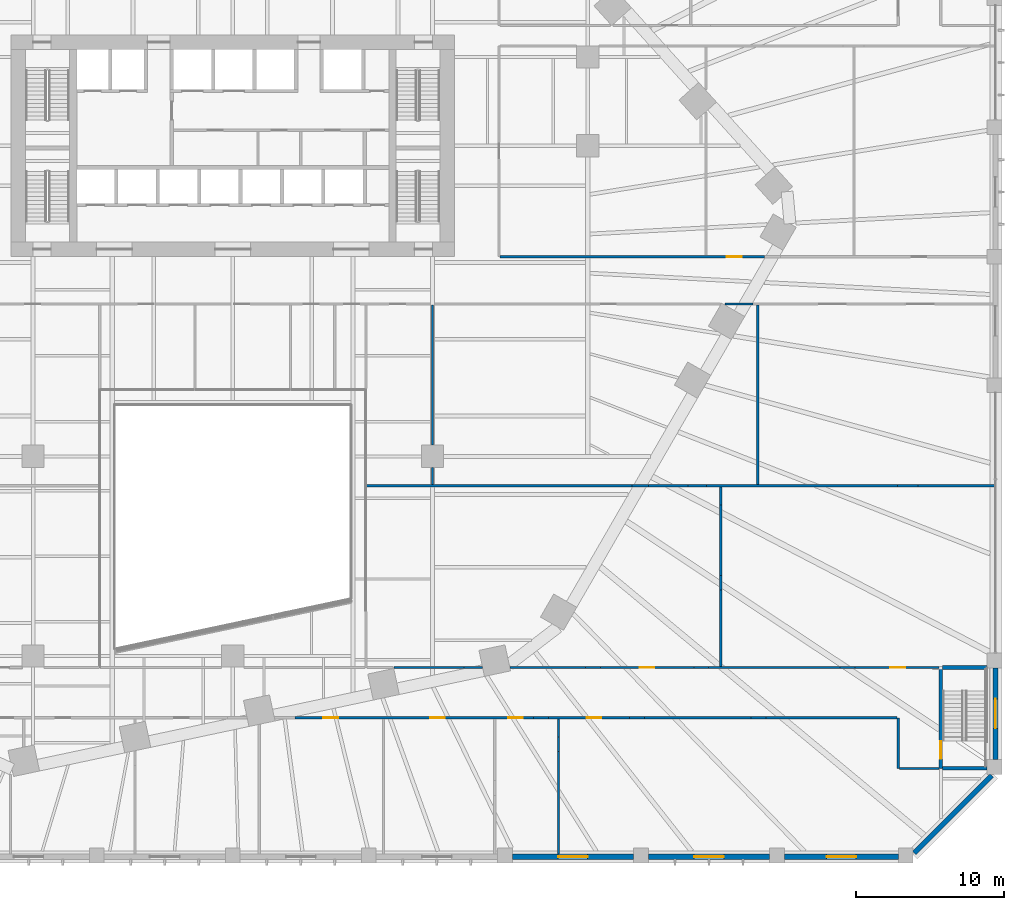
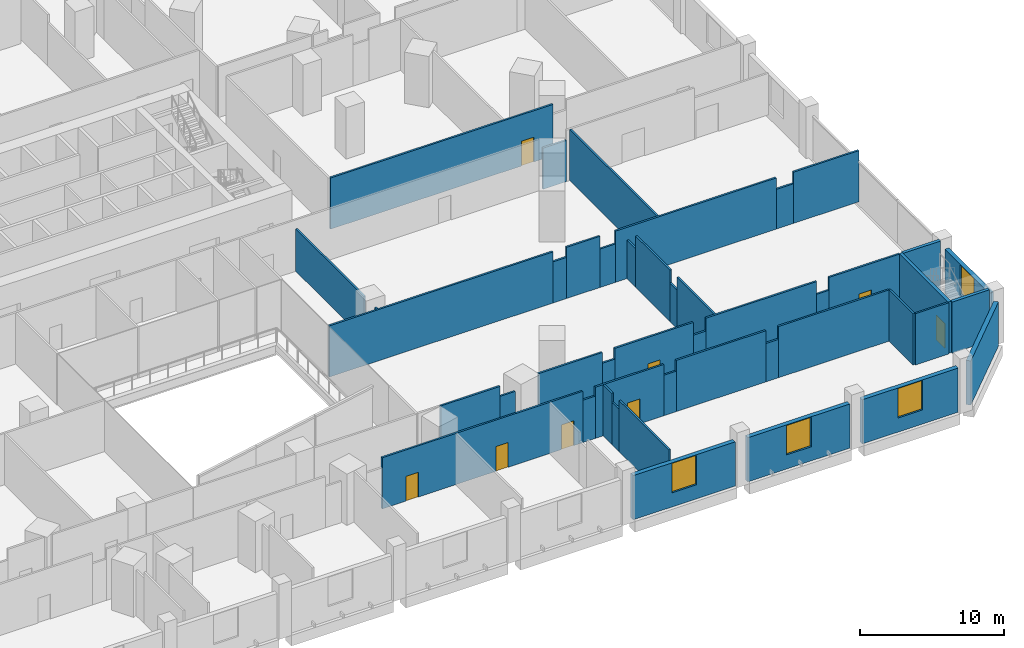
# One storey, part 19 of 33: 45 walls, 8 doors, 4 windows, 12 openings.
"""IFC4 building model written with IfcOpenShell, lengths in metres."""

from ifc_helpers import new_model, si_unit, direction, frame, frame_2d, origin, place, context, subcontext, project, spatial, rectangle, extrude, material, layer, layer_set, type_object, element, fill, save


model = new_model("IFC4")

# Units and contexts
model_context = context("Model", 3, precision=1e-05, world=origin(), true_north=direction((0.0, 1.0)))
body_context = subcontext(model_context, "Body", "Model", "MODEL_VIEW")
ifc_project = project(units=[si_unit("LENGTHUNIT", "METRE"), si_unit("AREAUNIT", "SQUARE_METRE"), si_unit("VOLUMEUNIT", "CUBIC_METRE"), si_unit("PLANEANGLEUNIT", "RADIAN"), si_unit("MASSUNIT", "GRAM", prefix="KILO")], contexts=[model_context])

# Site, building, storey
site_placement = place(None, origin())
site = spatial("IfcSite", under=ifc_project, at=site_placement, CompositionType="ELEMENT")
building_placement = place(site_placement, origin())
building = spatial("IfcBuilding", under=site, at=building_placement, Name="Isthmus Gate Tower", CompositionType="ELEMENT")
storey_placement = place(building_placement, frame((0.0, 0.0, 31.5)))
storey = spatial("IfcBuildingStorey", under=building, at=storey_placement, Name="L05", CompositionType="ELEMENT", Elevation=31.5)

# Walls
ifc_material_1 = material(Name="Fire-rated gypsum board on steel studs", Category="steel")
ifc_layer_1 = layer(ifc_material_1, 0.14990234375)
ifc_layer_set_1 = layer_set([ifc_layer_1], Name="Fire-rated partition 150 EI 60")
wall_type_1 = type_object("IfcWallType", Name="Fire-rated partition 150 EI 60", PredefinedType="PARTITIONING", material=ifc_layer_set_1)
wall_1_placement = place(storey_placement, frame((45.074951171875, -34.60009765625, 0.0), z_axis=(0.0, 0.0, 1.0), x_axis=(1.0, 0.0, 0.0)))
element("IfcWall", 1, at=wall_1_placement, inside=storey, type_object=wall_type_1, Name="Fire-rated partition", PredefinedType="PARTITIONING", context=body_context, shape_type="SweptSolid", body=[
    extrude(rectangle(XDim=2.675048828125, YDim=0.14990234375, at=frame_2d((1.33740234375, 0.0))), origin(), (0.0, 0.0, 1.0), 4.35009765625),
])
wall_2_placement = place(storey_placement, frame((45.0, -34.60009765625, 0.0), z_axis=(0.0, 0.0, 1.0), x_axis=(0.0, 1.0, 0.0)))
element("IfcWall", 2, at=wall_2_placement, inside=storey, type_object=wall_type_1, Name="Fire-rated partition", PredefinedType="PARTITIONING", context=body_context, shape_type="SweptSolid", body=[
    extrude(rectangle(XDim=3.421142578125, YDim=0.14990234375, at=frame_2d((1.71044921875, 0.0))), origin(), (0.0, 0.0, 1.0), 4.35009765625),
])

# Wall, opening, window
ifc_material_2 = material(Name="Precast concrete C40/50, limestone-faced", Category="masonry")
ifc_layer_2 = layer(ifc_material_2, 0.35009765625)
ifc_layer_set_2 = layer_set([ifc_layer_2], Name="PODIUM CLADDING WALL 350")
wall_type_2 = type_object("IfcWallType", Name="PODIUM CLADDING WALL 350", PredefinedType="SOLIDWALL", material=ifc_layer_set_2)
wall_3_placement = place(storey_placement, frame((18.89990234375, -40.574951171875, -0.300048828125), z_axis=(0.0, 0.0, 1.0), x_axis=(1.0, 0.0, 0.0)))
wall_3 = element("IfcWall", 3, at=wall_3_placement, inside=storey, type_object=wall_type_2, Name="PODIUM WALL", PredefinedType="SOLIDWALL", context=body_context, shape_type="SweptSolid", body=[
    extrude(rectangle(XDim=8.2001953125, YDim=0.35009765625, at=frame_2d((4.10009765625, 0.0))), origin(), (0.0, 0.0, 1.0), 3.75),
])
opening_1_placement = place(wall_3_placement, frame((3.10009765625, 0.0, 1.199951171875)))
opening_1 = element("IfcOpeningElement", 4, at=opening_1_placement, cuts=wall_3, Name="Opening W098", PredefinedType="OPENING", context=body_context, shape_type="SweptSolid", body=[
    extrude(rectangle(XDim=2.0, YDim=2.5, at=frame_2d((1.0, 1.25))), frame((0.0, 0.18505859375, 0.0), z_axis=(0.0, -1.0, 0.0), x_axis=(1.0, 0.0, 0.0)), (0.0, 0.0, 1.0), 0.3701171875),
])
ifc_material_3 = material(Name="Aluminium, pale champagne anodised, laminated glass", Category="aluminium")
window_type = type_object("IfcWindowType", Name="PODIUM SLOT WINDOW 2000 X 2500", PartitioningType="SINGLE_PANEL", PredefinedType="WINDOW", material=ifc_material_3)
window_1_placement = place(opening_1_placement, origin())
window_1 = element("IfcWindow", 5, at=window_1_placement, inside=storey, type_object=window_type, Name="SLOT WINDOW", OverallHeight=2.5, OverallWidth=2.0, PartitioningType="SINGLE_PANEL", PredefinedType="WINDOW", context=body_context, shape_type="SweptSolid", body=[
    extrude(rectangle(XDim=2.0, YDim=2.5, at=frame_2d((1.0, 1.25))), frame((0.0, 0.030029296875, 0.0), z_axis=(0.0, -1.0, 0.0), x_axis=(1.0, 0.0, 0.0)), (0.0, 0.0, 1.0), 0.06005859375),
])
fill(opening_1, window_1)

wall_4_placement = place(storey_placement, frame((28.10009765625, -40.574951171875, -0.300048828125), z_axis=(0.0, 0.0, 1.0), x_axis=(1.0, 0.0, 0.0)))
wall_4 = element("IfcWall", 6, at=wall_4_placement, inside=storey, type_object=wall_type_2, Name="PODIUM WALL", PredefinedType="SOLIDWALL", context=body_context, shape_type="SweptSolid", body=[
    extrude(rectangle(XDim=8.199951171875, YDim=0.35009765625, at=frame_2d((4.10009765625, 0.0))), origin(), (0.0, 0.0, 1.0), 3.75),
])
opening_2_placement = place(wall_4_placement, frame((3.10009765625, 0.0, 1.199951171875)))
opening_2 = element("IfcOpeningElement", 7, at=opening_2_placement, cuts=wall_4, Name="Opening W099", PredefinedType="OPENING", context=body_context, shape_type="SweptSolid", body=[
    extrude(rectangle(XDim=2.0, YDim=2.5, at=frame_2d((1.0, 1.25))), frame((0.0, 0.18505859375, 0.0), z_axis=(0.0, -1.0, 0.0), x_axis=(1.0, 0.0, 0.0)), (0.0, 0.0, 1.0), 0.3701171875),
])
window_2_placement = place(opening_2_placement, origin())
window_2 = element("IfcWindow", 8, at=window_2_placement, inside=storey, type_object=window_type, Name="SLOT WINDOW", OverallHeight=2.5, OverallWidth=2.0, PartitioningType="SINGLE_PANEL", PredefinedType="WINDOW", context=body_context, shape_type="SweptSolid", body=[
    extrude(rectangle(XDim=2.0, YDim=2.5, at=frame_2d((1.0, 1.25))), frame((0.0, 0.030029296875, 0.0), z_axis=(0.0, -1.0, 0.0), x_axis=(1.0, 0.0, 0.0)), (0.0, 0.0, 1.0), 0.06005859375),
])
fill(opening_2, window_2)

wall_5_placement = place(storey_placement, frame((37.300048828125, -40.574951171875, -0.300048828125), z_axis=(0.0, 0.0, 1.0), x_axis=(1.0, 0.0, 0.0)))
wall_5 = element("IfcWall", 9, at=wall_5_placement, inside=storey, type_object=wall_type_2, Name="PODIUM WALL", PredefinedType="SOLIDWALL", context=body_context, shape_type="SweptSolid", body=[
    extrude(rectangle(XDim=7.699951171875, YDim=0.35009765625, at=frame_2d((3.85009765625, 0.0))), origin(), (0.0, 0.0, 1.0), 3.75),
])
opening_3_placement = place(wall_5_placement, frame((2.85009765625, 0.0, 1.199951171875)))
opening_3 = element("IfcOpeningElement", 10, at=opening_3_placement, cuts=wall_5, Name="Opening W100", PredefinedType="OPENING", context=body_context, shape_type="SweptSolid", body=[
    extrude(rectangle(XDim=2.0, YDim=2.5, at=frame_2d((1.0, 1.25))), frame((0.0, 0.18505859375, 0.0), z_axis=(0.0, -1.0, 0.0), x_axis=(1.0, 0.0, 0.0)), (0.0, 0.0, 1.0), 0.3701171875),
])
window_3_placement = place(opening_3_placement, origin())
window_3 = element("IfcWindow", 11, at=window_3_placement, inside=storey, type_object=window_type, Name="SLOT WINDOW", OverallHeight=2.5, OverallWidth=2.0, PartitioningType="SINGLE_PANEL", PredefinedType="WINDOW", context=body_context, shape_type="SweptSolid", body=[
    extrude(rectangle(XDim=2.0, YDim=2.5, at=frame_2d((1.0, 1.25))), frame((0.0, 0.030029296875, 0.0), z_axis=(0.0, -1.0, 0.0), x_axis=(1.0, 0.0, 0.0)), (0.0, 0.0, 1.0), 0.06005859375),
])
fill(opening_3, window_3)

# Wall
wall_6_placement = place(storey_placement, frame((46.071533203125, -40.327392578125, -0.300048828125), z_axis=(0.0, 0.0, 1.0), x_axis=(0.707106781187, 0.707106781187, 0.0)))
element("IfcWall", 12, at=wall_6_placement, inside=storey, type_object=wall_type_2, Name="PODIUM WALL", PredefinedType="SOLIDWALL", context=body_context, shape_type="SweptSolid", body=[
    extrude(rectangle(XDim=7.432861328125, YDim=0.35009765625, at=frame_2d((3.71630859375, 0.0))), origin(), (0.0, 0.0, 1.0), 3.75),
])

# Wall, opening, window
wall_7_placement = place(storey_placement, frame((51.574951171875, -34.0, -0.300048828125), z_axis=(0.0, 0.0, 1.0), x_axis=(0.0, 1.0, 0.0)))
wall_7 = element("IfcWall", 13, at=wall_7_placement, inside=storey, type_object=wall_type_2, Name="PODIUM WALL", PredefinedType="SOLIDWALL", context=body_context, shape_type="SweptSolid", body=[
    extrude(rectangle(XDim=6.199951171875, YDim=0.35009765625, at=frame_2d((3.10009765625, 0.0))), origin(), (0.0, 0.0, 1.0), 3.75),
])
opening_4_placement = place(wall_7_placement, frame((2.10009765625, 0.0, 1.199951171875)))
opening_4 = element("IfcOpeningElement", 14, at=opening_4_placement, cuts=wall_7, Name="Opening W101", PredefinedType="OPENING", context=body_context, shape_type="SweptSolid", body=[
    extrude(rectangle(XDim=2.0, YDim=2.5, at=frame_2d((1.0, 1.25))), frame((0.0, 0.18505859375, 0.0), z_axis=(0.0, -1.0, 0.0), x_axis=(1.0, 0.0, 0.0)), (0.0, 0.0, 1.0), 0.3701171875),
])
window_4_placement = place(opening_4_placement, origin())
window_4 = element("IfcWindow", 15, at=window_4_placement, inside=storey, type_object=window_type, Name="SLOT WINDOW", OverallHeight=2.5, OverallWidth=2.0, PartitioningType="SINGLE_PANEL", PredefinedType="WINDOW", context=body_context, shape_type="SweptSolid", body=[
    extrude(rectangle(XDim=2.0, YDim=2.5, at=frame_2d((1.0, 1.25))), frame((0.0, 0.030029296875, 0.0), z_axis=(0.0, -1.0, 0.0), x_axis=(1.0, 0.0, 0.0)), (0.0, 0.0, 1.0), 0.06005859375),
])
fill(opening_4, window_4)

# Wall, openings, doors
ifc_material_4 = material(Name="Gypsum board on cold-formed steel studs", Category="steel")
ifc_layer_3 = layer(ifc_material_4, 0.14990234375)
ifc_layer_set_3 = layer_set([ifc_layer_3])
wall_type_3 = type_object("IfcWallType", Name="Partition 150 gypsum board on steel studs", PredefinedType="PARTITIONING", material=ifc_layer_set_3)
wall_8_placement = place(storey_placement, frame((4.22314453125, -31.178955078125, 0.0), z_axis=(0.0, 0.0, 1.0), x_axis=(1.0, 0.0, 0.0)))
wall_8 = element("IfcWall", 16, at=wall_8_placement, inside=storey, type_object=wall_type_3, Name="Partition", PredefinedType="PARTITIONING", context=body_context, shape_type="SweptSolid", body=[
    extrude(rectangle(XDim=16.10986328125, YDim=0.14990234375, at=frame_2d((8.054931640625, 0.0))), origin(), (0.0, 0.0, 1.0), 4.35009765625),
])
opening_5_placement = place(wall_8_placement, frame((1.89990234375, 0.0, 0.0)))
opening_5 = element("IfcOpeningElement", 17, at=opening_5_placement, cuts=wall_8, Name="Opening DP05-47", PredefinedType="OPENING", context=body_context, shape_type="SweptSolid", body=[
    extrude(rectangle(XDim=1.0, YDim=2.10009765625, at=frame_2d((0.5, 1.050048828125))), frame((0.0, 0.0849609375, 0.0), z_axis=(0.0, -1.0, 0.0), x_axis=(1.0, 0.0, 0.0)), (0.0, 0.0, 1.0), 0.169921875),
])
opening_6_placement = place(wall_8_placement, frame((9.118896484375, 0.0, 0.0)))
opening_6 = element("IfcOpeningElement", 18, at=opening_6_placement, cuts=wall_8, Name="Opening DP05-48", PredefinedType="OPENING", context=body_context, shape_type="SweptSolid", body=[
    extrude(rectangle(XDim=1.0, YDim=2.10009765625, at=frame_2d((0.5, 1.050048828125))), frame((0.0, 0.0849609375, 0.0), z_axis=(0.0, -1.0, 0.0), x_axis=(1.0, 0.0, 0.0)), (0.0, 0.0, 1.0), 0.169921875),
])
opening_7_placement = place(wall_8_placement, frame((14.390869140625, 0.0, 0.0)))
opening_7 = element("IfcOpeningElement", 19, at=opening_7_placement, cuts=wall_8, Name="Opening DP05-49", PredefinedType="OPENING", context=body_context, shape_type="SweptSolid", body=[
    extrude(rectangle(XDim=1.0, YDim=2.10009765625, at=frame_2d((0.5, 1.050048828125))), frame((0.0, 0.0849609375, 0.0), z_axis=(0.0, -1.0, 0.0), x_axis=(1.0, 0.0, 0.0)), (0.0, 0.0, 1.0), 0.169921875),
])
ifc_material_5 = material(Name="Hollow metal frame with solid-core timber leaf", Category="wood")
door_type_1 = type_object("IfcDoorType", Name="Single swing door 1000 x 2100", OperationType="SINGLE_SWING_LEFT", PredefinedType="DOOR", material=ifc_material_5)
door_1_placement = place(opening_5_placement, origin())
door_1 = element("IfcDoor", 20, at=door_1_placement, inside=storey, type_object=door_type_1, Name="Door DP05-47", OperationType="SINGLE_SWING_LEFT", OverallHeight=2.10009765625, OverallWidth=1.0, PredefinedType="DOOR", context=body_context, shape_type="SweptSolid", body=[
    extrude(rectangle(XDim=1.0, YDim=2.10009765625, at=frame_2d((0.5, 1.050048828125))), frame((0.0, 0.02490234375, 0.0), z_axis=(0.0, -1.0, 0.0), x_axis=(1.0, 0.0, 0.0)), (0.0, 0.0, 1.0), 0.050048828125),
])
fill(opening_5, door_1)
door_2_placement = place(opening_6_placement, origin())
door_2 = element("IfcDoor", 21, at=door_2_placement, inside=storey, type_object=door_type_1, Name="Door DP05-48", OperationType="SINGLE_SWING_LEFT", OverallHeight=2.10009765625, OverallWidth=1.0, PredefinedType="DOOR", context=body_context, shape_type="SweptSolid", body=[
    extrude(rectangle(XDim=1.0, YDim=2.10009765625, at=frame_2d((0.5, 1.050048828125))), frame((0.0, 0.02490234375, 0.0), z_axis=(0.0, -1.0, 0.0), x_axis=(1.0, 0.0, 0.0)), (0.0, 0.0, 1.0), 0.050048828125),
])
fill(opening_6, door_2)
door_3_placement = place(opening_7_placement, origin())
door_3 = element("IfcDoor", 22, at=door_3_placement, inside=storey, type_object=door_type_1, Name="Door DP05-49", OperationType="SINGLE_SWING_LEFT", OverallHeight=2.10009765625, OverallWidth=1.0, PredefinedType="DOOR", context=body_context, shape_type="SweptSolid", body=[
    extrude(rectangle(XDim=1.0, YDim=2.10009765625, at=frame_2d((0.5, 1.050048828125))), frame((0.0, 0.02490234375, 0.0), z_axis=(0.0, -1.0, 0.0), x_axis=(1.0, 0.0, 0.0)), (0.0, 0.0, 1.0), 0.050048828125),
])
fill(opening_7, door_3)

# Wall
wall_9_placement = place(storey_placement, frame((20.3330078125, -31.178955078125, 0.0), z_axis=(0.0, 0.0, 1.0), x_axis=(1.0, 0.0, 0.0)))
element("IfcWall", 23, at=wall_9_placement, inside=storey, type_object=wall_type_3, Name="Partition", PredefinedType="PARTITIONING", context=body_context, shape_type="SweptSolid", body=[
    extrude(rectangle(XDim=1.0, YDim=0.14990234375, at=frame_2d((0.5, 0.0))), origin(), (0.0, 0.0, 1.0), 3.59130859375),
])

# Wall, opening, door
wall_10_placement = place(storey_placement, frame((21.3330078125, -31.178955078125, 0.0), z_axis=(0.0, 0.0, 1.0), x_axis=(1.0, 0.0, 0.0)))
wall_10 = element("IfcWall", 24, at=wall_10_placement, inside=storey, type_object=wall_type_3, Name="Partition", PredefinedType="PARTITIONING", context=body_context, shape_type="SweptSolid", body=[
    extrude(rectangle(XDim=5.51025390625, YDim=0.14990234375, at=frame_2d((2.755126953125, 0.0))), origin(), (0.0, 0.0, 1.0), 4.35009765625),
])
opening_8_placement = place(wall_10_placement, frame((2.598876953125, 0.0, 0.0)))
opening_8 = element("IfcOpeningElement", 25, at=opening_8_placement, cuts=wall_10, Name="Opening DP05-50", PredefinedType="OPENING", context=body_context, shape_type="SweptSolid", body=[
    extrude(rectangle(XDim=1.0, YDim=2.10009765625, at=frame_2d((0.5, 1.050048828125))), frame((0.0, 0.0849609375, 0.0), z_axis=(0.0, -1.0, 0.0), x_axis=(1.0, 0.0, 0.0)), (0.0, 0.0, 1.0), 0.169921875),
])
door_4_placement = place(opening_8_placement, origin())
door_4 = element("IfcDoor", 26, at=door_4_placement, inside=storey, type_object=door_type_1, Name="Door DP05-50", OperationType="SINGLE_SWING_LEFT", OverallHeight=2.10009765625, OverallWidth=1.0, PredefinedType="DOOR", context=body_context, shape_type="SweptSolid", body=[
    extrude(rectangle(XDim=1.0, YDim=2.10009765625, at=frame_2d((0.5, 1.050048828125))), frame((0.0, 0.02490234375, 0.0), z_axis=(0.0, -1.0, 0.0), x_axis=(1.0, 0.0, 0.0)), (0.0, 0.0, 1.0), 0.050048828125),
])
fill(opening_8, door_4)

# Walls
wall_11_placement = place(storey_placement, frame((26.84326171875, -31.178955078125, 0.0), z_axis=(0.0, 0.0, 1.0), x_axis=(1.0, 0.0, 0.0)))
element("IfcWall", 27, at=wall_11_placement, inside=storey, type_object=wall_type_3, Name="Partition", PredefinedType="PARTITIONING", context=body_context, shape_type="SweptSolid", body=[
    extrude(rectangle(XDim=1.0, YDim=0.14990234375, at=frame_2d((0.5, 0.0))), origin(), (0.0, 0.0, 1.0), 3.435546875),
])
wall_12_placement = place(storey_placement, frame((27.84326171875, -31.178955078125, 0.0), z_axis=(0.0, 0.0, 1.0), x_axis=(1.0, 0.0, 0.0)))
element("IfcWall", 28, at=wall_12_placement, inside=storey, type_object=wall_type_3, Name="Partition", PredefinedType="PARTITIONING", context=body_context, shape_type="SweptSolid", body=[
    extrude(rectangle(XDim=7.20947265625, YDim=0.14990234375, at=frame_2d((3.604736328125, 0.0))), origin(), (0.0, 0.0, 1.0), 4.35009765625),
])
wall_13_placement = place(storey_placement, frame((35.052734375, -31.178955078125, 0.0), z_axis=(0.0, 0.0, 1.0), x_axis=(1.0, 0.0, 0.0)))
element("IfcWall", 29, at=wall_13_placement, inside=storey, type_object=wall_type_3, Name="Partition", PredefinedType="PARTITIONING", context=body_context, shape_type="SweptSolid", body=[
    extrude(rectangle(XDim=1.0, YDim=0.14990234375, at=frame_2d((0.5, 0.0))), origin(), (0.0, 0.0, 1.0), 3.260986328125),
])
wall_14_placement = place(storey_placement, frame((36.052734375, -31.178955078125, 0.0), z_axis=(0.0, 0.0, 1.0), x_axis=(1.0, 0.0, 0.0)))
element("IfcWall", 30, at=wall_14_placement, inside=storey, type_object=wall_type_3, Name="Partition", PredefinedType="PARTITIONING", context=body_context, shape_type="SweptSolid", body=[
    extrude(rectangle(XDim=8.872314453125, YDim=0.14990234375, at=frame_2d((4.43603515625, 0.0))), origin(), (0.0, 0.0, 1.0), 4.35009765625),
])
wall_15_placement = place(storey_placement, frame((10.88720703125, -27.779052734375, 0.0), z_axis=(0.0, 0.0, 1.0), x_axis=(1.0, 0.0, 0.0)))
element("IfcWall", 31, at=wall_15_placement, inside=storey, type_object=wall_type_3, Name="Partition", PredefinedType="PARTITIONING", context=body_context, shape_type="SweptSolid", body=[
    extrude(rectangle(XDim=4.762451171875, YDim=0.14990234375, at=frame_2d((2.38134765625, 0.0))), origin(), (0.0, 0.0, 1.0), 4.35009765625),
])
wall_16_placement = place(storey_placement, frame((15.649658203125, -27.779052734375, 0.0), z_axis=(0.0, 0.0, 1.0), x_axis=(1.0, 0.0, 0.0)))
element("IfcWall", 32, at=wall_16_placement, inside=storey, type_object=wall_type_3, Name="Partition", PredefinedType="PARTITIONING", context=body_context, shape_type="SweptSolid", body=[
    extrude(rectangle(XDim=1.2265625, YDim=0.14990234375, at=frame_2d((0.61328125, 0.0))), origin(), (0.0, 0.0, 1.0), 3.5),
])
wall_17_placement = place(storey_placement, frame((18.748291015625, -27.779052734375, 0.0), z_axis=(0.0, 0.0, 1.0), x_axis=(1.0, 0.0, 0.0)))
element("IfcWall", 33, at=wall_17_placement, inside=storey, type_object=wall_type_3, Name="Partition", PredefinedType="PARTITIONING", context=body_context, shape_type="SweptSolid", body=[
    extrude(rectangle(XDim=5.11328125, YDim=0.14990234375, at=frame_2d((2.556640625, 0.0))), origin(), (0.0, 0.0, 1.0), 4.35009765625),
])
wall_18_placement = place(storey_placement, frame((23.861572265625, -27.779052734375, 0.0), z_axis=(0.0, 0.0, 1.0), x_axis=(1.0, 0.0, 0.0)))
element("IfcWall", 34, at=wall_18_placement, inside=storey, type_object=wall_type_3, Name="Partition", PredefinedType="PARTITIONING", context=body_context, shape_type="SweptSolid", body=[
    extrude(rectangle(XDim=1.0, YDim=0.14990234375, at=frame_2d((0.5, 0.0))), origin(), (0.0, 0.0, 1.0), 3.435546875),
])

# Wall, opening, door
wall_19_placement = place(storey_placement, frame((24.861572265625, -27.779052734375, 0.0), z_axis=(0.0, 0.0, 1.0), x_axis=(1.0, 0.0, 0.0)))
wall_19 = element("IfcWall", 35, at=wall_19_placement, inside=storey, type_object=wall_type_3, Name="Partition", PredefinedType="PARTITIONING", context=body_context, shape_type="SweptSolid", body=[
    extrude(rectangle(XDim=6.314208984375, YDim=0.14990234375, at=frame_2d((3.1572265625, 0.0))), origin(), (0.0, 0.0, 1.0), 4.35009765625),
])
opening_9_placement = place(wall_19_placement, frame((2.64990234375, 0.0, 0.0)))
opening_9 = element("IfcOpeningElement", 36, at=opening_9_placement, cuts=wall_19, Name="Opening DP05-21", PredefinedType="OPENING", context=body_context, shape_type="SweptSolid", body=[
    extrude(rectangle(XDim=1.0, YDim=2.10009765625, at=frame_2d((0.5, 1.050048828125))), frame((0.0, 0.0849609375, 0.0), z_axis=(0.0, -1.0, 0.0), x_axis=(1.0, 0.0, 0.0)), (0.0, 0.0, 1.0), 0.169921875),
])
door_5_placement = place(opening_9_placement, origin())
door_5 = element("IfcDoor", 37, at=door_5_placement, inside=storey, type_object=door_type_1, Name="Door DP05-21", OperationType="SINGLE_SWING_LEFT", OverallHeight=2.10009765625, OverallWidth=1.0, PredefinedType="DOOR", context=body_context, shape_type="SweptSolid", body=[
    extrude(rectangle(XDim=1.0, YDim=2.10009765625, at=frame_2d((0.5, 1.050048828125))), frame((0.0, 0.02490234375, 0.0), z_axis=(0.0, -1.0, 0.0), x_axis=(1.0, 0.0, 0.0)), (0.0, 0.0, 1.0), 0.050048828125),
])
fill(opening_9, door_5)

# Walls
wall_20_placement = place(storey_placement, frame((31.17578125, -27.779052734375, 0.0), z_axis=(0.0, 0.0, 1.0), x_axis=(1.0, 0.0, 0.0)))
element("IfcWall", 38, at=wall_20_placement, inside=storey, type_object=wall_type_3, Name="Partition", PredefinedType="PARTITIONING", context=body_context, shape_type="SweptSolid", body=[
    extrude(rectangle(XDim=1.0, YDim=0.14990234375, at=frame_2d((0.5, 0.0))), origin(), (0.0, 0.0, 1.0), 3.260986328125),
])
wall_21_placement = place(storey_placement, frame((32.17578125, -27.779052734375, 0.0), z_axis=(0.0, 0.0, 1.0), x_axis=(1.0, 0.0, 0.0)))
element("IfcWall", 39, at=wall_21_placement, inside=storey, type_object=wall_type_3, Name="Partition", PredefinedType="PARTITIONING", context=body_context, shape_type="SweptSolid", body=[
    extrude(rectangle(XDim=8.8984375, YDim=0.14990234375, at=frame_2d((4.44921875, 0.0))), origin(), (0.0, 0.0, 1.0), 4.35009765625),
])
wall_22_placement = place(storey_placement, frame((41.07421875, -27.779052734375, 0.0), z_axis=(0.0, 0.0, 1.0), x_axis=(1.0, 0.0, 0.0)))
element("IfcWall", 40, at=wall_22_placement, inside=storey, type_object=wall_type_3, Name="Partition", PredefinedType="PARTITIONING", context=body_context, shape_type="SweptSolid", body=[
    extrude(rectangle(XDim=1.0, YDim=0.14990234375, at=frame_2d((0.5, 0.0))), origin(), (0.0, 0.0, 1.0), 3.260986328125),
])

# Wall, opening, door
wall_23_placement = place(storey_placement, frame((42.07421875, -27.779052734375, 0.0), z_axis=(0.0, 0.0, 1.0), x_axis=(1.0, 0.0, 0.0)))
wall_23 = element("IfcWall", 41, at=wall_23_placement, inside=storey, type_object=wall_type_3, Name="Partition", PredefinedType="PARTITIONING", context=body_context, shape_type="SweptSolid", body=[
    extrude(rectangle(XDim=5.67578125, YDim=0.14990234375, at=frame_2d((2.837890625, 0.0))), origin(), (0.0, 0.0, 1.0), 4.35009765625),
])
opening_10_placement = place(wall_23_placement, frame((2.39990234375, 0.0, 0.0)))
opening_10 = element("IfcOpeningElement", 42, at=opening_10_placement, cuts=wall_23, Name="Opening DP05-22", PredefinedType="OPENING", context=body_context, shape_type="SweptSolid", body=[
    extrude(rectangle(XDim=1.0, YDim=2.10009765625, at=frame_2d((0.5, 1.050048828125))), frame((0.0, 0.0849609375, 0.0), z_axis=(0.0, -1.0, 0.0), x_axis=(1.0, 0.0, 0.0)), (0.0, 0.0, 1.0), 0.169921875),
])
door_6_placement = place(opening_10_placement, origin())
door_6 = element("IfcDoor", 43, at=door_6_placement, inside=storey, type_object=door_type_1, Name="Door DP05-22", OperationType="SINGLE_SWING_LEFT", OverallHeight=2.10009765625, OverallWidth=1.0, PredefinedType="DOOR", context=body_context, shape_type="SweptSolid", body=[
    extrude(rectangle(XDim=1.0, YDim=2.10009765625, at=frame_2d((0.5, 1.050048828125))), frame((0.0, 0.02490234375, 0.0), z_axis=(0.0, -1.0, 0.0), x_axis=(1.0, 0.0, 0.0)), (0.0, 0.0, 1.0), 0.050048828125),
])
fill(opening_10, door_6)

# Walls
wall_24_placement = place(storey_placement, frame((9.030029296875, -15.489013671875, 0.0), z_axis=(0.0, 0.0, 1.0), x_axis=(1.0, 0.0, 0.0)))
element("IfcWall", 44, at=wall_24_placement, inside=storey, type_object=wall_type_3, Name="Partition", PredefinedType="PARTITIONING", context=body_context, shape_type="SweptSolid", body=[
    extrude(rectangle(XDim=17.967529296875, YDim=0.14990234375, at=frame_2d((8.98388671875, 0.0))), origin(), (0.0, 0.0, 1.0), 4.35009765625),
])
wall_25_placement = place(storey_placement, frame((26.99755859375, -15.489013671875, 0.0), z_axis=(0.0, 0.0, 1.0), x_axis=(1.0, 0.0, 0.0)))
element("IfcWall", 45, at=wall_25_placement, inside=storey, type_object=wall_type_3, Name="Partition", PredefinedType="PARTITIONING", context=body_context, shape_type="SweptSolid", body=[
    extrude(rectangle(XDim=1.096923828125, YDim=0.14990234375, at=frame_2d((0.54833984375, 0.0))), origin(), (0.0, 0.0, 1.0), 3.5),
])
wall_26_placement = place(storey_placement, frame((28.094482421875, -15.489013671875, 0.0), z_axis=(0.0, 0.0, 1.0), x_axis=(1.0, 0.0, 0.0)))
element("IfcWall", 46, at=wall_26_placement, inside=storey, type_object=wall_type_3, Name="Partition", PredefinedType="PARTITIONING", context=body_context, shape_type="SweptSolid", body=[
    extrude(rectangle(XDim=2.6923828125, YDim=0.14990234375, at=frame_2d((1.34619140625, 0.0))), origin(), (0.0, 0.0, 1.0), 4.35009765625),
])
wall_27_placement = place(storey_placement, frame((30.786865234375, -15.489013671875, 0.0), z_axis=(0.0, 0.0, 1.0), x_axis=(1.0, 0.0, 0.0)))
element("IfcWall", 47, at=wall_27_placement, inside=storey, type_object=wall_type_3, Name="Partition", PredefinedType="PARTITIONING", context=body_context, shape_type="SweptSolid", body=[
    extrude(rectangle(XDim=1.24365234375, YDim=0.14990234375, at=frame_2d((0.621826171875, 0.0))), origin(), (0.0, 0.0, 1.0), 3.260986328125),
])
wall_28_placement = place(storey_placement, frame((32.030517578125, -15.489013671875, 0.0), z_axis=(0.0, 0.0, 1.0), x_axis=(1.0, 0.0, 0.0)))
element("IfcWall", 48, at=wall_28_placement, inside=storey, type_object=wall_type_3, Name="Partition", PredefinedType="PARTITIONING", context=body_context, shape_type="SweptSolid", body=[
    extrude(rectangle(XDim=12.901123046875, YDim=0.14990234375, at=frame_2d((6.45068359375, 0.0))), origin(), (0.0, 0.0, 1.0), 4.35009765625),
])
wall_29_placement = place(storey_placement, frame((44.931640625, -15.489013671875, 0.0), z_axis=(0.0, 0.0, 1.0), x_axis=(1.0, 0.0, 0.0)))
element("IfcWall", 49, at=wall_29_placement, inside=storey, type_object=wall_type_3, Name="Partition", PredefinedType="PARTITIONING", context=body_context, shape_type="SweptSolid", body=[
    extrude(rectangle(XDim=1.39501953125, YDim=0.14990234375, at=frame_2d((0.697509765625, 0.0))), origin(), (0.0, 0.0, 1.0), 3.368896484375),
])
wall_30_placement = place(storey_placement, frame((46.32666015625, -15.489013671875, 0.0), z_axis=(0.0, 0.0, 1.0), x_axis=(1.0, 0.0, 0.0)))
element("IfcWall", 50, at=wall_30_placement, inside=storey, type_object=wall_type_3, Name="Partition", PredefinedType="PARTITIONING", context=body_context, shape_type="SweptSolid", body=[
    extrude(rectangle(XDim=5.243408203125, YDim=0.14990234375, at=frame_2d((2.62158203125, 0.0))), origin(), (0.0, 0.0, 1.0), 4.35009765625),
])
wall_31_placement = place(storey_placement, frame((33.285888671875, -3.199951171875, 0.0), z_axis=(0.0, 0.0, 1.0), x_axis=(1.0, 0.0, 0.0)))
element("IfcWall", 51, at=wall_31_placement, inside=storey, type_object=wall_type_3, Name="Partition", PredefinedType="PARTITIONING", context=body_context, shape_type="SweptSolid", body=[
    extrude(rectangle(XDim=1.903564453125, YDim=0.14990234375, at=frame_2d((0.95166015625, 0.0))), origin(), (0.0, 0.0, 1.0), 3.5),
])

# Wall, opening, door
wall_32_placement = place(storey_placement, frame((18.074951171875, 0.0, 0.0), z_axis=(0.0, 0.0, 1.0), x_axis=(1.0, 0.0, 0.0)))
wall_32 = element("IfcWall", 52, at=wall_32_placement, inside=storey, type_object=wall_type_3, Name="Partition", PredefinedType="PARTITIONING", context=body_context, shape_type="SweptSolid", body=[
    extrude(rectangle(XDim=17.865234375, YDim=0.14990234375, at=frame_2d((8.9326171875, 0.0))), origin(), (0.0, 0.0, 1.0), 4.35009765625),
])
opening_11_placement = place(wall_32_placement, frame((15.324951171875, 0.0, 0.0)))
opening_11 = element("IfcOpeningElement", 53, at=opening_11_placement, cuts=wall_32, Name="Opening DP05-41", PredefinedType="OPENING", context=body_context, shape_type="SweptSolid", body=[
    extrude(rectangle(XDim=1.0, YDim=2.10009765625, at=frame_2d((0.5, 1.050048828125))), frame((0.0, 0.0849609375, 0.0), z_axis=(0.0, -1.0, 0.0), x_axis=(1.0, 0.0, 0.0)), (0.0, 0.0, 1.0), 0.169921875),
])
door_7_placement = place(opening_11_placement, origin())
door_7 = element("IfcDoor", 54, at=door_7_placement, inside=storey, type_object=door_type_1, Name="Door DP05-41", OperationType="SINGLE_SWING_LEFT", OverallHeight=2.10009765625, OverallWidth=1.0, PredefinedType="DOOR", context=body_context, shape_type="SweptSolid", body=[
    extrude(rectangle(XDim=1.0, YDim=2.10009765625, at=frame_2d((0.5, 1.050048828125))), frame((0.0, 0.02490234375, 0.0), z_axis=(0.0, -1.0, 0.0), x_axis=(1.0, 0.0, 0.0)), (0.0, 0.0, 1.0), 0.050048828125),
])
fill(opening_11, door_7)

# Walls
wall_33_placement = place(storey_placement, frame((13.5, -15.4140625, 0.0), z_axis=(0.0, 0.0, 1.0), x_axis=(0.0, 1.0, 0.0)))
element("IfcWall", 55, at=wall_33_placement, inside=storey, type_object=wall_type_3, Name="Partition", PredefinedType="PARTITIONING", context=body_context, shape_type="SweptSolid", body=[
    extrude(rectangle(XDim=1.1640625, YDim=0.14990234375, at=frame_2d((0.58203125, 0.0))), origin(), (0.0, 0.0, 1.0), 3.59130859375),
])
wall_34_placement = place(storey_placement, frame((13.5, -12.75, 0.0), z_axis=(0.0, 0.0, 1.0), x_axis=(0.0, 1.0, 0.0)))
element("IfcWall", 56, at=wall_34_placement, inside=storey, type_object=wall_type_3, Name="Partition", PredefinedType="PARTITIONING", context=body_context, shape_type="SweptSolid", body=[
    extrude(rectangle(XDim=9.47509765625, YDim=0.14990234375, at=frame_2d((4.737548828125, 0.0))), origin(), (0.0, 0.0, 1.0), 3.6005859375),
])
wall_35_placement = place(storey_placement, frame((22.031982421875, -40.39990234375, 0.0), z_axis=(0.0, 0.0, 1.0), x_axis=(0.0, 1.0, 0.0)))
element("IfcWall", 57, at=wall_35_placement, inside=storey, type_object=wall_type_3, Name="Partition", PredefinedType="PARTITIONING", context=body_context, shape_type="SweptSolid", body=[
    extrude(rectangle(XDim=6.9267578125, YDim=0.14990234375, at=frame_2d((3.46337890625, 0.0))), origin(), (0.0, 0.0, 1.0), 4.35009765625),
])
wall_36_placement = place(storey_placement, frame((22.031982421875, -33.47314453125, 0.0), z_axis=(0.0, 0.0, 1.0), x_axis=(0.0, 1.0, 0.0)))
element("IfcWall", 58, at=wall_36_placement, inside=storey, type_object=wall_type_3, Name="Partition", PredefinedType="PARTITIONING", context=body_context, shape_type="SweptSolid", body=[
    extrude(rectangle(XDim=1.0, YDim=0.14990234375, at=frame_2d((0.5, 0.0))), origin(), (0.0, 0.0, 1.0), 3.59130859375),
])
wall_37_placement = place(storey_placement, frame((22.031982421875, -32.47314453125, 0.0), z_axis=(0.0, 0.0, 1.0), x_axis=(0.0, 1.0, 0.0)))
element("IfcWall", 59, at=wall_37_placement, inside=storey, type_object=wall_type_3, Name="Partition", PredefinedType="PARTITIONING", context=body_context, shape_type="SweptSolid", body=[
    extrude(rectangle(XDim=1.21923828125, YDim=0.14990234375, at=frame_2d((0.609619140625, 0.0))), origin(), (0.0, 0.0, 1.0), 4.35009765625),
])
wall_38_placement = place(storey_placement, frame((33.0, -27.7041015625, 0.0), z_axis=(0.0, 0.0, 1.0), x_axis=(0.0, 1.0, 0.0)))
element("IfcWall", 60, at=wall_38_placement, inside=storey, type_object=wall_type_3, Name="Partition", PredefinedType="PARTITIONING", context=body_context, shape_type="SweptSolid", body=[
    extrude(rectangle(XDim=5.154296875, YDim=0.14990234375, at=frame_2d((2.5771484375, 0.0))), origin(), (0.0, 0.0, 1.0), 4.35009765625),
])
wall_39_placement = place(storey_placement, frame((33.0, -22.5498046875, 0.0), z_axis=(0.0, 0.0, 1.0), x_axis=(0.0, 1.0, 0.0)))
element("IfcWall", 61, at=wall_39_placement, inside=storey, type_object=wall_type_3, Name="Partition", PredefinedType="PARTITIONING", context=body_context, shape_type="SweptSolid", body=[
    extrude(rectangle(XDim=1.0, YDim=0.14990234375, at=frame_2d((0.5, 0.0))), origin(), (0.0, 0.0, 1.0), 3.260986328125),
])
wall_40_placement = place(storey_placement, frame((33.0, -21.5498046875, 0.0), z_axis=(0.0, 0.0, 1.0), x_axis=(0.0, 1.0, 0.0)))
element("IfcWall", 62, at=wall_40_placement, inside=storey, type_object=wall_type_3, Name="Partition", PredefinedType="PARTITIONING", context=body_context, shape_type="SweptSolid", body=[
    extrude(rectangle(XDim=4.776123046875, YDim=0.14990234375, at=frame_2d((2.38818359375, 0.0))), origin(), (0.0, 0.0, 1.0), 4.35009765625),
])
wall_41_placement = place(storey_placement, frame((33.0, -16.773681640625, 0.0), z_axis=(0.0, 0.0, 1.0), x_axis=(0.0, 1.0, 0.0)))
element("IfcWall", 63, at=wall_41_placement, inside=storey, type_object=wall_type_3, Name="Partition", PredefinedType="PARTITIONING", context=body_context, shape_type="SweptSolid", body=[
    extrude(rectangle(XDim=1.209716796875, YDim=0.14990234375, at=frame_2d((0.60498046875, 0.0))), origin(), (0.0, 0.0, 1.0), 3.260986328125),
])
wall_42_placement = place(storey_placement, frame((35.5, -15.4140625, 0.0), z_axis=(0.0, 0.0, 1.0), x_axis=(0.0, 1.0, 0.0)))
element("IfcWall", 64, at=wall_42_placement, inside=storey, type_object=wall_type_3, Name="Partition", PredefinedType="PARTITIONING", context=body_context, shape_type="SweptSolid", body=[
    extrude(rectangle(XDim=12.13916015625, YDim=0.14990234375, at=frame_2d((6.069580078125, 0.0))), origin(), (0.0, 0.0, 1.0), 4.35009765625),
])
ifc_material_6 = material(Name="Concrete f'c 40 MPa", Category="concrete")
ifc_layer_4 = layer(ifc_material_6, 0.25)
ifc_layer_set_4 = layer_set([ifc_layer_4])
wall_type_4 = type_object("IfcWallType", Name="Stair shaft wall 250 reinforced concrete", PredefinedType="SHEAR", material=ifc_layer_set_4)
for number, where, z_axis, x_axis, name in (
    (65, (48.0, -34.60009765625, 0.0), (0.0, 0.0, 1.0), (1.0, 0.0, 0.0), "Stair shaft wall"),
    (66, (48.0, -27.779052734375, 0.0), (0.0, 0.0, 1.0), (1.0, 0.0, 0.0), "Stair shaft wall"),
):
    element("IfcWall", number, at=place(storey_placement, frame(where, z_axis=z_axis, x_axis=x_axis)), inside=storey, type_object=wall_type_4, Name=name, PredefinedType="SHEAR", context=body_context, shape_type="SweptSolid", body=[
        extrude(rectangle(XDim=3.0, YDim=0.25, at=frame_2d((1.5, 0.0))), origin(), (0.0, 0.0, 1.0), 4.35009765625),
    ])

# Wall, opening, door
wall_43_placement = place(storey_placement, frame((47.875, -34.60009765625, 0.0), z_axis=(0.0, 0.0, 1.0), x_axis=(0.0, 1.0, 0.0)))
wall_43 = element("IfcWall", 67, at=wall_43_placement, inside=storey, type_object=wall_type_4, Name="Stair shaft wall", PredefinedType="SHEAR", context=body_context, shape_type="SweptSolid", body=[
    extrude(rectangle(XDim=6.821044921875, YDim=0.25, at=frame_2d((3.41064453125, 0.0))), origin(), (0.0, 0.0, 1.0), 4.35009765625),
])
opening_12_placement = place(wall_43_placement, frame((0.64990234375, 0.0, 0.0)))
opening_12 = element("IfcOpeningElement", 68, at=opening_12_placement, cuts=wall_43, Name="Opening DP05-08", PredefinedType="OPENING", context=body_context, shape_type="SweptSolid", body=[
    extrude(rectangle(XDim=1.199951171875, YDim=2.10009765625, at=frame_2d((0.60009765625, 1.050048828125))), frame((0.0, 0.135009765625, 0.0), z_axis=(0.0, -1.0, 0.0), x_axis=(1.0, 0.0, 0.0)), (0.0, 0.0, 1.0), 0.27001953125),
])
ifc_material_7 = material(Name="Steel fire door with intumescent seals", Category="steel")
door_type_2 = type_object("IfcDoorType", Name="Fire door 1200 x 2100", OperationType="SINGLE_SWING_LEFT", PredefinedType="DOOR", material=ifc_material_7)
door_8_placement = place(opening_12_placement, origin())
door_8 = element("IfcDoor", 69, at=door_8_placement, inside=storey, type_object=door_type_2, Name="Door DP05-08", OperationType="SINGLE_SWING_LEFT", OverallHeight=2.10009765625, OverallWidth=1.199951171875, PredefinedType="DOOR", context=body_context, shape_type="SweptSolid", body=[
    extrude(rectangle(XDim=1.199951171875, YDim=2.10009765625, at=frame_2d((0.60009765625, 1.050048828125))), frame((0.0, 0.02490234375, 0.0), z_axis=(0.0, -1.0, 0.0), x_axis=(1.0, 0.0, 0.0)), (0.0, 0.0, 1.0), 0.050048828125),
])
fill(opening_12, door_8)

save(model, "model.ifc")
